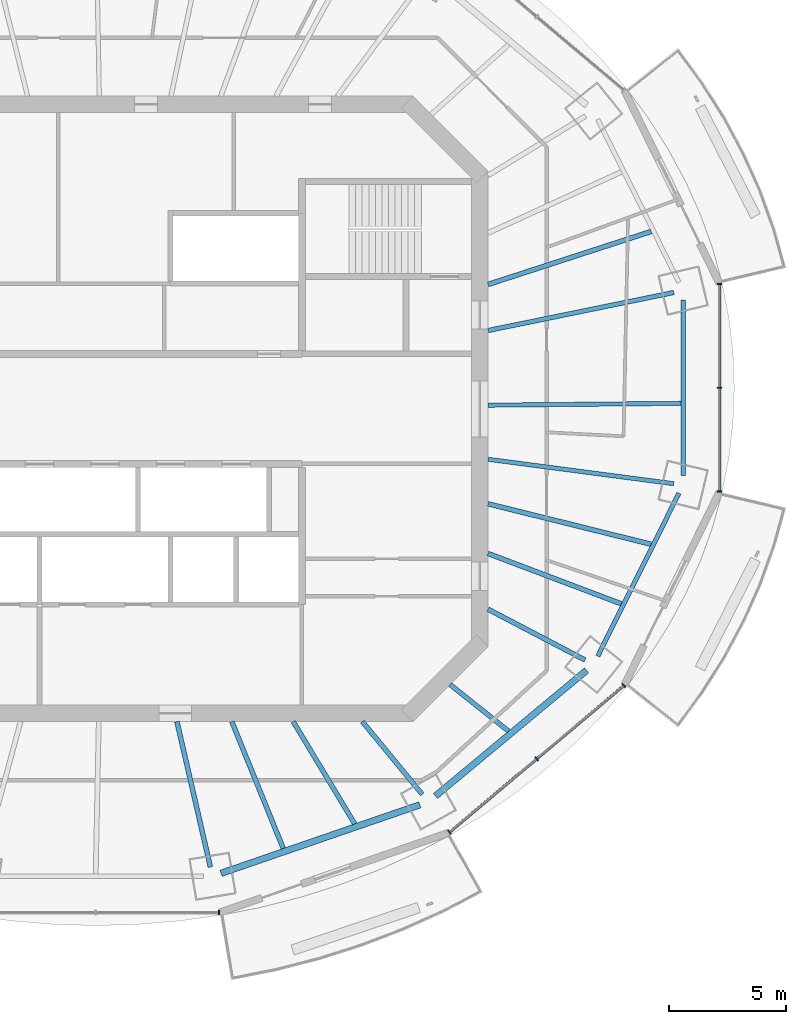
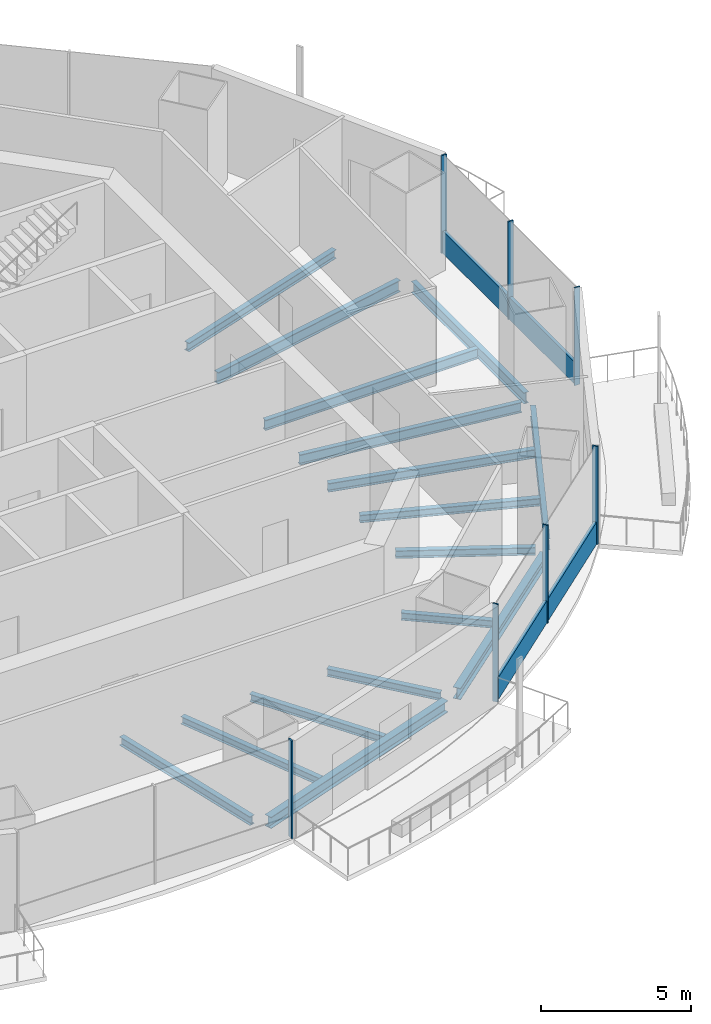
# One storey, part 4 of 16: 16 beams, 9 members, 3 elements without a shape of their own.
"""IFC4 building model written with IfcOpenShell, lengths in metres."""

from ifc_helpers import new_model, si_unit, direction, frame, origin, origin_2d, place, context, subcontext, project, spatial, rectangle, i_section, extrude, material, material_profile, profile_set, type_object, element, aggregate, save


model = new_model("IFC4")

# Units and contexts
model_context = context("Model", 3, precision=1e-05, world=origin(), true_north=direction((0.0, 1.0)))
body_context = subcontext(model_context, "Body", "Model", "MODEL_VIEW")
ifc_project = project(units=[si_unit("LENGTHUNIT", "METRE"), si_unit("AREAUNIT", "SQUARE_METRE"), si_unit("VOLUMEUNIT", "CUBIC_METRE"), si_unit("PLANEANGLEUNIT", "RADIAN"), si_unit("MASSUNIT", "GRAM", prefix="KILO")], contexts=[model_context])

# Site, building, storey
site_placement = place(None, origin())
site = spatial("IfcSite", under=ifc_project, at=site_placement, CompositionType="ELEMENT")
building_placement = place(site_placement, origin())
building = spatial("IfcBuilding", under=site, at=building_placement, Name="Marenthal Gate Tower", CompositionType="ELEMENT")
storey_placement = place(building_placement, frame((0.0, 0.0, 334.300048828125)))
storey = spatial("IfcBuildingStorey", under=building, at=storey_placement, Name="L75", CompositionType="ELEMENT", Elevation=334.300048828125)

# Curtain wall, member
ifc_material_1 = material(Name="Aluminium and glass", Category="aluminium")
curtain_wall_type = type_object("IfcCurtainWallType", Name="Curtain wall typical high", PredefinedType="NOTDEFINED", material=ifc_material_1)
curtain_wall_1_placement = place(storey_placement, origin())
curtain_wall_1 = element("IfcCurtainWall", 1, at=curtain_wall_1_placement, inside=storey, type_object=curtain_wall_type, Name="Curtain wall L75 bay 12", PredefinedType="NOTDEFINED")
ifc_material_2 = material(Name="Aluminium", Category="aluminium")
ifc_material_profile_1 = material_profile(ifc_material_2, rectangle(XDim=0.199951171875, YDim=0.06005859375, at=origin_2d()), Name="60x200 aluminium mullion")
ifc_profile_set_1 = profile_set([ifc_material_profile_1], Name="Aluminium")
member_type_1 = type_object("IfcMemberType", Name="Mullion 60x200 typical high", PredefinedType="MULLION", material=ifc_profile_set_1)
member_1_placement = place(storey_placement, frame((4.866455078125, -21.503173828125, 0.0), z_axis=(0.0, 0.0, 1.0), x_axis=(0.0, 1.0, 0.0)))
member_1 = element("IfcMember", 2, at=member_1_placement, type_object=member_type_1, Name="Mullion L75 bay 12.3", PredefinedType="MULLION", context=body_context, shape_type="SweptSolid", body=[
    extrude(rectangle(XDim=0.199951171875, YDim=0.06005859375, at=origin_2d()), origin(), (0.0, 0.0, 1.0), 3.969970703125),
])
aggregate(curtain_wall_1, [member_1])

# Curtain wall, members
curtain_wall_2_placement = place(storey_placement, origin())
curtain_wall_2 = element("IfcCurtainWall", 3, at=curtain_wall_2_placement, inside=storey, type_object=curtain_wall_type, Name="Curtain wall L75 bay 14", PredefinedType="NOTDEFINED")
member_2_placement = place(storey_placement, frame((14.7060546875, -18.072998046875, 0.0), z_axis=(0.0, 0.0, 1.0), x_axis=(-0.643800653639, 0.765193255572, 0.0)))
member_2 = element("IfcMember", 4, at=member_2_placement, type_object=member_type_1, Name="Mullion L75 bay 14.1", PredefinedType="MULLION", context=body_context, shape_type="SweptSolid", body=[
    extrude(rectangle(XDim=0.199951171875, YDim=0.06005859375, at=origin_2d()), origin(), (0.0, 0.0, 1.0), 3.969970703125),
])
member_3_placement = place(storey_placement, frame((18.428466796875, -14.94140625, 0.0), z_axis=(0.0, 0.0, 1.0), x_axis=(-0.643800653639, 0.765193255572, 0.0)))
member_3 = element("IfcMember", 5, at=member_3_placement, type_object=member_type_1, Name="Mullion L75 bay 14.2", PredefinedType="MULLION", context=body_context, shape_type="SweptSolid", body=[
    extrude(rectangle(XDim=0.199951171875, YDim=0.06005859375, at=origin_2d()), origin(), (0.0, 0.0, 1.0), 3.969970703125),
])
member_4_placement = place(storey_placement, frame((22.150634765625, -11.8095703125, 0.0), z_axis=(0.0, 0.0, 1.0), x_axis=(-0.643800653639, 0.765193255572, 0.0)))
member_4 = element("IfcMember", 6, at=member_4_placement, type_object=member_type_1, Name="Mullion L75 bay 14.3", PredefinedType="MULLION", context=body_context, shape_type="SweptSolid", body=[
    extrude(rectangle(XDim=0.199951171875, YDim=0.06005859375, at=origin_2d()), origin(), (0.0, 0.0, 1.0), 3.969970703125),
])

curtain_wall_3_placement = place(storey_placement, origin())
curtain_wall_3 = element("IfcCurtainWall", 7, at=curtain_wall_3_placement, inside=storey, type_object=curtain_wall_type, Name="Curtain wall L75 bay 16", PredefinedType="NOTDEFINED")
member_5_placement = place(storey_placement, frame((26.227294921875, -3.5263671875, 0.0), z_axis=(0.0, 0.0, 1.0), x_axis=(-1.0, 0.0, 0.0)))
member_5 = element("IfcMember", 8, at=member_5_placement, type_object=member_type_1, Name="Mullion L75 bay 16.1", PredefinedType="MULLION", context=body_context, shape_type="SweptSolid", body=[
    extrude(rectangle(XDim=0.199951171875, YDim=0.06005859375, at=origin_2d()), origin(), (0.0, 0.0, 1.0), 3.969970703125),
])
member_6_placement = place(storey_placement, frame((26.227294921875, 0.89990234375, 0.0), z_axis=(0.0, 0.0, 1.0), x_axis=(-1.0, 0.0, 0.0)))
member_6 = element("IfcMember", 9, at=member_6_placement, type_object=member_type_1, Name="Mullion L75 bay 16.2", PredefinedType="MULLION", context=body_context, shape_type="SweptSolid", body=[
    extrude(rectangle(XDim=0.199951171875, YDim=0.06005859375, at=origin_2d()), origin(), (0.0, 0.0, 1.0), 3.969970703125),
])
member_7_placement = place(storey_placement, frame((26.227294921875, 5.326416015625, 0.0), z_axis=(0.0, 0.0, 1.0), x_axis=(-1.0, 0.0, 0.0)))
member_7 = element("IfcMember", 10, at=member_7_placement, type_object=member_type_1, Name="Mullion L75 bay 16.3", PredefinedType="MULLION", context=body_context, shape_type="SweptSolid", body=[
    extrude(rectangle(XDim=0.199951171875, YDim=0.06005859375, at=origin_2d()), origin(), (0.0, 0.0, 1.0), 3.969970703125),
])

# Member
ifc_material_3 = material(Name="Aluminium", Category="aluminium")
ifc_material_profile_2 = material_profile(ifc_material_3, rectangle(XDim=0.1201171875, YDim=0.89990234375, at=origin_2d()), Name="120x900 aluminium transom")
ifc_profile_set_2 = profile_set([ifc_material_profile_2], Name="Aluminium")
member_type_2 = type_object("IfcMemberType", Name="Transom 120x900 typical high", PredefinedType="USERDEFINED", material=ifc_profile_set_2)
member_8_placement = place(storey_placement, frame((14.72900390625, -18.0537109375, 0.449951171875), z_axis=(0.765197260539, 0.643795893482, 0.0), x_axis=(-0.643795893482, 0.765197260539, 0.0)))
member_8 = element("IfcMember", 11, at=member_8_placement, type_object=member_type_2, Name="Transom L75 bay 14", ObjectType="TRANSOM", PredefinedType="USERDEFINED", context=body_context, shape_type="SweptSolid", body=[
    extrude(rectangle(XDim=0.1201171875, YDim=0.89990234375, at=origin_2d()), origin(), (0.0, 0.0, 1.0), 9.6689453125),
])

aggregate(curtain_wall_2, [member_2, member_3, member_4, member_8])

member_9_placement = place(storey_placement, frame((26.227294921875, -3.496337890625, 0.449951171875), z_axis=(0.0, 1.0, 0.0), x_axis=(-1.0, 0.0, 0.0)))
member_9 = element("IfcMember", 12, at=member_9_placement, type_object=member_type_2, Name="Transom L75 bay 16", ObjectType="TRANSOM", PredefinedType="USERDEFINED", context=body_context, shape_type="SweptSolid", body=[
    extrude(rectangle(XDim=0.1201171875, YDim=0.89990234375, at=origin_2d()), origin(), (0.0, 0.0, 1.0), 8.792724609375),
])

aggregate(curtain_wall_3, [member_5, member_6, member_7, member_9])

# Beams
ifc_material_4 = material(Name="Steel S355", Category="steel")
ifc_material_profile_3 = material_profile(ifc_material_4, i_section(OverallWidth=0.202880859375, OverallDepth=0.302001953125, WebThickness=0.007568359375, FlangeThickness=0.01318359375, FilletRadius=0.0126953125, at=origin_2d()), Name="W310X60")
ifc_profile_set_3 = profile_set([ifc_material_profile_3], Name="Steel S355")
beam_type_1 = type_object("IfcBeamType", Name="W310X60 beam", PredefinedType="BEAM", material=ifc_profile_set_3)
beam_1_placement = place(storey_placement, frame((7.608154296875, -18.765869140625, -0.3310546875), z_axis=(-0.375701229811, 0.926740840753, 0.0), x_axis=(-0.926740840753, -0.375701229811, 0.0)))
element("IfcBeam", 13, at=beam_1_placement, inside=storey, type_object=beam_type_1, Name="BM-L75-35", PredefinedType="BEAM", context=body_context, shape_type="SweptSolid", body=[
    extrude(i_section(OverallWidth=0.202880859375, OverallDepth=0.302001953125, WebThickness=0.007568359375, FlangeThickness=0.01318359375, FilletRadius=0.0126953125, at=origin_2d()), origin(), (0.0, 0.0, 1.0), 5.843994140625),
])
beam_2_placement = place(storey_placement, frame((10.659423828125, -17.71484375, -0.3310546875), z_axis=(-0.515559638843, 0.856853697428, 0.0), x_axis=(-0.856853697428, -0.515559638843, 0.0)))
element("IfcBeam", 14, at=beam_2_placement, inside=storey, type_object=beam_type_1, Name="BM-L75-36", PredefinedType="BEAM", context=body_context, shape_type="SweptSolid", body=[
    extrude(i_section(OverallWidth=0.202880859375, OverallDepth=0.302001953125, WebThickness=0.007568359375, FlangeThickness=0.01318359375, FilletRadius=0.0126953125, at=origin_2d()), origin(), (0.0, 0.0, 1.0), 5.093994140625),
])
beam_3_placement = place(storey_placement, frame((17.22119140625, -13.756591796875, -0.3310546875), z_axis=(-0.781331575315, 0.62411615058, 0.0), x_axis=(-0.62411615058, -0.781331575315, 0.0)))
element("IfcBeam", 15, at=beam_3_placement, inside=storey, type_object=beam_type_1, Name="BM-L75-37", PredefinedType="BEAM", context=body_context, shape_type="SweptSolid", body=[
    extrude(i_section(OverallWidth=0.202880859375, OverallDepth=0.302001953125, WebThickness=0.007568359375, FlangeThickness=0.01318359375, FilletRadius=0.0126953125, at=origin_2d()), origin(), (0.0, 0.0, 1.0), 3.189697265625),
])
ifc_material_5 = material(Name="Steel S355", Category="steel")
ifc_material_profile_4 = material_profile(ifc_material_5, i_section(OverallWidth=0.205078125, OverallDepth=0.31005859375, WebThickness=0.009521484375, FlangeThickness=0.016357421875, FilletRadius=0.0126953125, at=origin_2d()), Name="W310X74")
ifc_profile_set_4 = profile_set([ifc_material_profile_4], Name="Steel S355")
beam_type_2 = type_object("IfcBeamType", Name="W310X74 beam", PredefinedType="BEAM", material=ifc_profile_set_4)
beam_4_placement = place(storey_placement, frame((13.541748046875, -16.458251953125, -0.3349609375), z_axis=(-0.635369145441, 0.772208552803, 0.0), x_axis=(-0.772208552803, -0.635369145441, 0.0)))
element("IfcBeam", 16, at=beam_4_placement, inside=storey, type_object=beam_type_2, Name="BM-L75-14", PredefinedType="BEAM", context=body_context, shape_type="SweptSolid", body=[
    extrude(i_section(OverallWidth=0.205078125, OverallDepth=0.31005859375, WebThickness=0.009521484375, FlangeThickness=0.016357421875, FilletRadius=0.0126953125, at=origin_2d()), origin(), (0.0, 0.0, 1.0), 4.02490234375),
])
beam_5_placement = place(storey_placement, frame((20.489990234375, -10.718994140625, -0.3349609375), z_axis=(-0.886072788462, 0.463546128823, 0.0), x_axis=(-0.463546128823, -0.886072788462, 0.0)))
element("IfcBeam", 17, at=beam_5_placement, inside=storey, type_object=beam_type_2, Name="BM-L75-15", PredefinedType="BEAM", context=body_context, shape_type="SweptSolid", body=[
    extrude(i_section(OverallWidth=0.205078125, OverallDepth=0.31005859375, WebThickness=0.009521484375, FlangeThickness=0.016357421875, FilletRadius=0.0126953125, at=origin_2d()), origin(), (0.0, 0.0, 1.0), 4.672119140625),
])
beam_6_placement = place(storey_placement, frame((22.04248046875, -8.32373046875, -0.3349609375), z_axis=(-0.935515417744, 0.353285866068, 0.0), x_axis=(-0.353285866068, -0.935515417744, 0.0)))
element("IfcBeam", 18, at=beam_6_placement, inside=storey, type_object=beam_type_2, Name="BM-L75-38", PredefinedType="BEAM", context=body_context, shape_type="SweptSolid", body=[
    extrude(i_section(OverallWidth=0.205078125, OverallDepth=0.31005859375, WebThickness=0.009521484375, FlangeThickness=0.016357421875, FilletRadius=0.0126953125, at=origin_2d()), origin(), (0.0, 0.0, 1.0), 6.084716796875),
])
ifc_material_6 = material(Name="Steel S355", Category="steel")
ifc_material_profile_5 = material_profile(ifc_material_6, i_section(OverallWidth=0.205078125, OverallDepth=0.35302734375, WebThickness=0.009521484375, FlangeThickness=0.016845703125, FilletRadius=0.014892578125, at=origin_2d()), Name="W360X79")
ifc_profile_set_5 = profile_set([ifc_material_profile_5], Name="Steel S355")
beam_type_3 = type_object("IfcBeamType", Name="W360X79 beam", PredefinedType="BEAM", material=ifc_profile_set_5)
beam_7_placement = place(storey_placement, frame((4.498291015625, -19.56201171875, -0.3564453125), z_axis=(-0.224106949433, 0.974564556721, 0.0), x_axis=(-0.974564556721, -0.224106949433, 0.0)))
element("IfcBeam", 19, at=beam_7_placement, inside=storey, type_object=beam_type_3, Name="BM-L75-13", PredefinedType="BEAM", context=body_context, shape_type="SweptSolid", body=[
    extrude(i_section(OverallWidth=0.205078125, OverallDepth=0.35302734375, WebThickness=0.009521484375, FlangeThickness=0.016845703125, FilletRadius=0.014892578125, at=origin_2d()), origin(), (0.0, 0.0, 1.0), 6.3740234375),
])
beam_8_placement = place(storey_placement, frame((23.313232421875, 7.572998046875, -0.3564453125), z_axis=(-0.951076454557, -0.308955623978, 0.0), x_axis=(0.308955623978, -0.951076454557, 0.0)))
element("IfcBeam", 20, at=beam_8_placement, inside=storey, type_object=beam_type_3, Name="BM-L75-17", PredefinedType="BEAM", context=body_context, shape_type="SweptSolid", body=[
    extrude(i_section(OverallWidth=0.205078125, OverallDepth=0.35302734375, WebThickness=0.009521484375, FlangeThickness=0.016845703125, FilletRadius=0.014892578125, at=origin_2d()), origin(), (0.0, 0.0, 1.0), 7.3212890625),
])
beam_9_placement = place(storey_placement, frame((23.31005859375, -5.779296875, -0.3564453125), z_axis=(-0.970613311101, 0.240644551805, 0.0), x_axis=(-0.240644551805, -0.970613311101, 0.0)))
element("IfcBeam", 21, at=beam_9_placement, inside=storey, type_object=beam_type_3, Name="BM-L75-39", PredefinedType="BEAM", context=body_context, shape_type="SweptSolid", body=[
    extrude(i_section(OverallWidth=0.205078125, OverallDepth=0.35302734375, WebThickness=0.009521484375, FlangeThickness=0.016845703125, FilletRadius=0.014892578125, at=origin_2d()), origin(), (0.0, 0.0, 1.0), 7.170654296875),
])
ifc_material_7 = material(Name="Steel S355", Category="steel")
ifc_material_profile_6 = material_profile(ifc_material_7, i_section(OverallWidth=0.180908203125, OverallDepth=0.4169921875, WebThickness=0.010986328125, FlangeThickness=0.018310546875, FilletRadius=0.01025390625, at=origin_2d()), Name="W410X85")
ifc_profile_set_6 = profile_set([ifc_material_profile_6], Name="Steel S355")
beam_type_4 = type_object("IfcBeamType", Name="W410X85 beam", PredefinedType="BEAM", material=ifc_profile_set_6)
beam_10_placement = place(storey_placement, frame((24.2763671875, -3.1953125, -0.388427734375), z_axis=(-0.991445770235, 0.130519288548, 0.0), x_axis=(-0.130519288548, -0.991445770235, 0.0)))
element("IfcBeam", 22, at=beam_10_placement, inside=storey, type_object=beam_type_4, Name="BM-L75-16", PredefinedType="BEAM", context=body_context, shape_type="SweptSolid", body=[
    extrude(i_section(OverallWidth=0.180908203125, OverallDepth=0.4169921875, WebThickness=0.010986328125, FlangeThickness=0.018310546875, FilletRadius=0.01025390625, at=origin_2d()), origin(), (0.0, 0.0, 1.0), 7.99462890625),
])
beam_11_placement = place(storey_placement, frame((24.582275390625, 0.2353515625, -0.388427734375), z_axis=(-0.999954122918, -0.00957872955, 0.0), x_axis=(0.00957872955, -0.999954122918, 0.0)))
element("IfcBeam", 23, at=beam_11_placement, inside=storey, type_object=beam_type_4, Name="BM-L75-40", PredefinedType="BEAM", context=body_context, shape_type="SweptSolid", body=[
    extrude(i_section(OverallWidth=0.180908203125, OverallDepth=0.4169921875, WebThickness=0.010986328125, FlangeThickness=0.018310546875, FilletRadius=0.01025390625, at=origin_2d()), origin(), (0.0, 0.0, 1.0), 8.232666015625),
])
ifc_material_8 = material(Name="Steel S355", Category="steel")
ifc_material_profile_7 = material_profile(ifc_material_8, i_section(OverallWidth=0.279052734375, OverallDepth=0.4619140625, WebThickness=0.0107421875, FlangeThickness=0.017333984375, FilletRadius=0.010009765625, at=origin_2d()), Name="W460X113")
ifc_profile_set_7 = profile_set([ifc_material_profile_7], Name="Steel S355")
beam_type_5 = type_object("IfcBeamType", Name="W460X113 beam", PredefinedType="BEAM", material=ifc_profile_set_7)
beam_12_placement = place(storey_placement, frame((4.95458984375, -19.827392578125, -0.4111328125), z_axis=(0.945482518799, 0.325672852179, 0.0), x_axis=(-0.325672852179, 0.945482518799, 0.0)))
element("IfcBeam", 24, at=beam_12_placement, inside=storey, type_object=beam_type_5, Name="BM-L75-53", PredefinedType="BEAM", context=body_context, shape_type="SweptSolid", body=[
    extrude(i_section(OverallWidth=0.279052734375, OverallDepth=0.4619140625, WebThickness=0.0107421875, FlangeThickness=0.017333984375, FilletRadius=0.010009765625, at=origin_2d()), origin(), (0.0, 0.0, 1.0), 8.97265625),
])
beam_13_placement = place(storey_placement, frame((14.105712890625, -16.529052734375, -0.4111328125), z_axis=(0.768886227591, 0.639385618403, 0.0), x_axis=(-0.639385618403, 0.768886227591, 0.0)))
element("IfcBeam", 25, at=beam_13_placement, inside=storey, type_object=beam_type_5, Name="BM-L75-54", PredefinedType="BEAM", context=body_context, shape_type="SweptSolid", body=[
    extrude(i_section(OverallWidth=0.279052734375, OverallDepth=0.4619140625, WebThickness=0.0107421875, FlangeThickness=0.017333984375, FilletRadius=0.010009765625, at=origin_2d()), origin(), (0.0, 0.0, 1.0), 8.39111328125),
])
ifc_material_9 = material(Name="Steel S355", Category="steel")
ifc_material_profile_8 = material_profile(ifc_material_9, i_section(OverallWidth=0.19091796875, OverallDepth=0.45703125, WebThickness=0.009033203125, FlangeThickness=0.014404296875, FilletRadius=0.01025390625, at=origin_2d()), Name="W460X74")
ifc_profile_set_8 = profile_set([ifc_material_profile_8], Name="Steel S355")
beam_type_6 = type_object("IfcBeamType", Name="W460X74 beam", PredefinedType="BEAM", material=ifc_profile_set_8)
beam_14_placement = place(storey_placement, frame((21.0361328125, -10.558349609375, -0.408447265625), z_axis=(0.445880705054, 0.895092395712, 0.0), x_axis=(-0.895092395712, 0.445880705054, 0.0)))
element("IfcBeam", 26, at=beam_14_placement, inside=storey, type_object=beam_type_6, Name="BM-L75-55", PredefinedType="BEAM", context=body_context, shape_type="SweptSolid", body=[
    extrude(i_section(OverallWidth=0.19091796875, OverallDepth=0.45703125, WebThickness=0.009033203125, FlangeThickness=0.014404296875, FilletRadius=0.01025390625, at=origin_2d()), origin(), (0.0, 0.0, 1.0), 7.76904296875),
])
beam_15_placement = place(storey_placement, frame((24.677734375, -2.848388671875, -0.408447265625), z_axis=(0.0, 1.0, 0.0), x_axis=(-1.0, 0.0, 0.0)))
element("IfcBeam", 27, at=beam_15_placement, inside=storey, type_object=beam_type_6, Name="BM-L75-56", PredefinedType="BEAM", context=body_context, shape_type="SweptSolid", body=[
    extrude(i_section(OverallWidth=0.19091796875, OverallDepth=0.45703125, WebThickness=0.009033203125, FlangeThickness=0.014404296875, FilletRadius=0.01025390625, at=origin_2d()), origin(), (0.0, 0.0, 1.0), 7.49658203125),
])
ifc_material_10 = material(Name="Steel S355", Category="steel")
ifc_material_profile_9 = material_profile(ifc_material_10, i_section(OverallWidth=0.193115234375, OverallDepth=0.467041015625, WebThickness=0.011474609375, FlangeThickness=0.01904296875, FilletRadius=0.010009765625, at=origin_2d()), Name="W460X97")
ifc_profile_set_9 = profile_set([ifc_material_profile_9], Name="Steel S355")
beam_type_7 = type_object("IfcBeamType", Name="W460X97 beam", PredefinedType="BEAM", material=ifc_profile_set_9)
beam_16_placement = place(storey_placement, frame((24.285400390625, 4.9677734375, -0.41357421875), z_axis=(-0.979711031697, -0.200415304733, 0.0), x_axis=(0.200415304733, -0.979711031697, 0.0)))
element("IfcBeam", 28, at=beam_16_placement, inside=storey, type_object=beam_type_7, Name="BM-L75-01", PredefinedType="BEAM", context=body_context, shape_type="SweptSolid", body=[
    extrude(i_section(OverallWidth=0.193115234375, OverallDepth=0.467041015625, WebThickness=0.011474609375, FlangeThickness=0.01904296875, FilletRadius=0.010009765625, at=origin_2d()), origin(), (0.0, 0.0, 1.0), 8.099609375),
])

save(model, "model.ifc")
